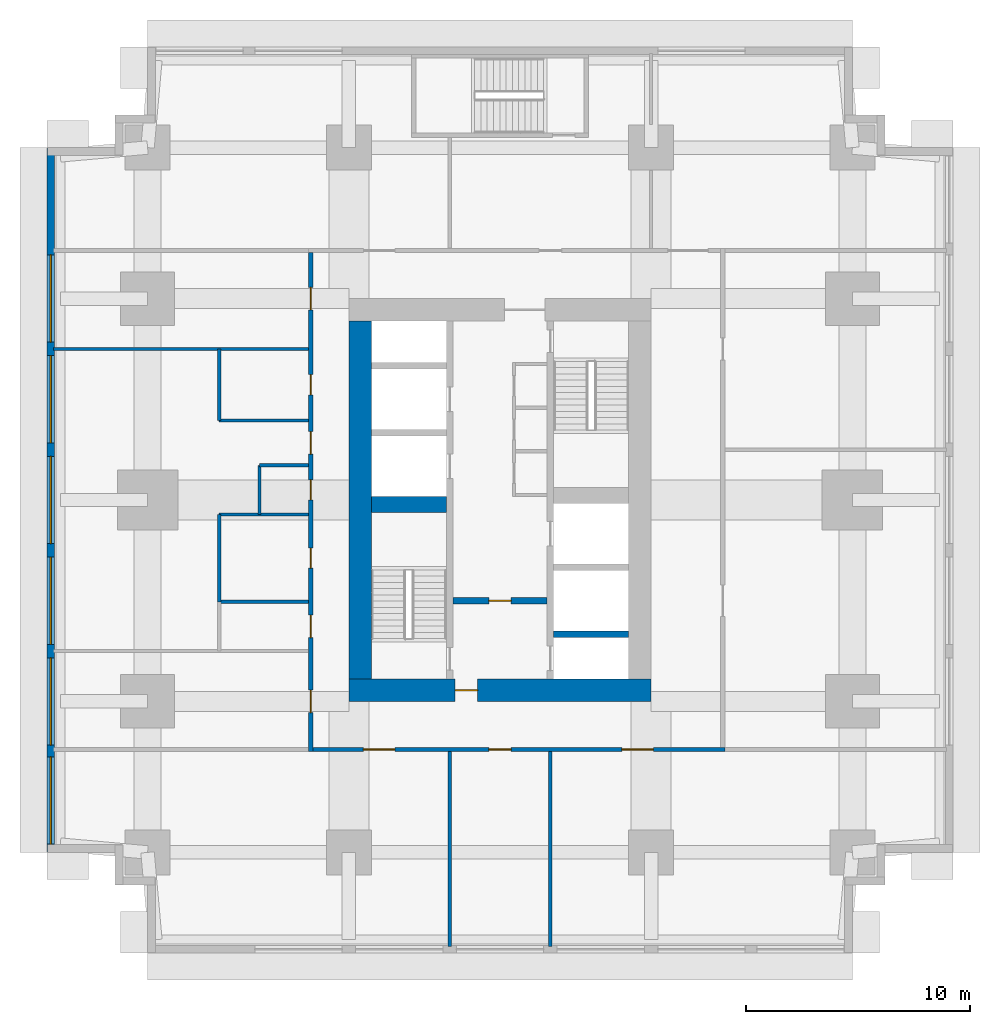
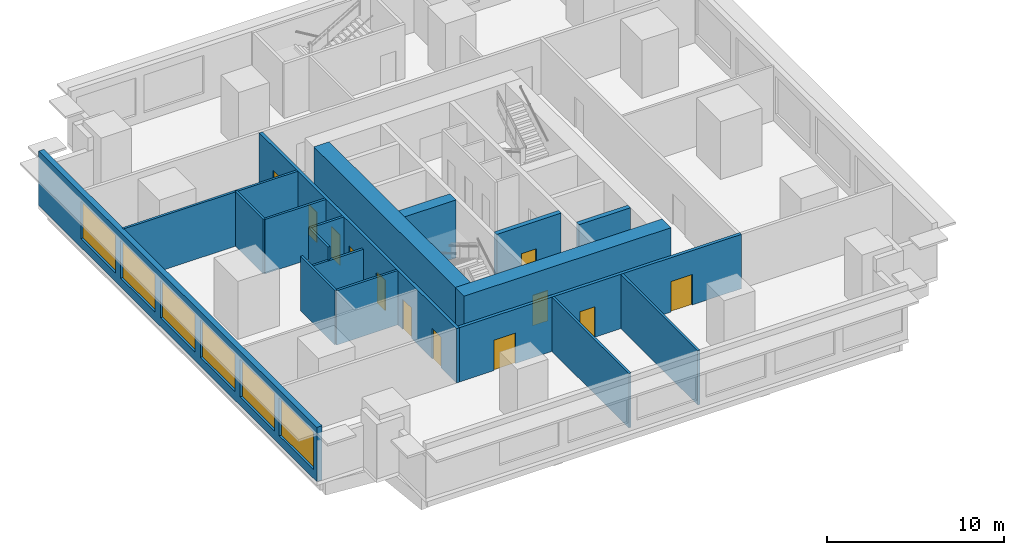
# One storey, part 3 of 11: 18 walls, 12 doors, 6 windows, 18 openings.
"""IFC4 building model written with IfcOpenShell, lengths in metres."""

from ifc_helpers import new_model, si_unit, direction, frame, frame_2d, origin, place, context, subcontext, project, spatial, rectangle, extrude, material, layer, layer_set, type_object, element, fill, save


model = new_model("IFC4")

# Units and contexts
model_context = context("Model", 3, precision=1e-05, world=origin(), true_north=direction((0.0, 1.0)))
body_context = subcontext(model_context, "Body", "Model", "MODEL_VIEW")
ifc_project = project(units=[si_unit("LENGTHUNIT", "METRE"), si_unit("AREAUNIT", "SQUARE_METRE"), si_unit("VOLUMEUNIT", "CUBIC_METRE"), si_unit("PLANEANGLEUNIT", "RADIAN"), si_unit("MASSUNIT", "GRAM", prefix="KILO")], contexts=[model_context])

# Site, building, storey
site_placement = place(None, origin())
site = spatial("IfcSite", under=ifc_project, at=site_placement, CompositionType="ELEMENT")
building_placement = place(site_placement, origin())
building = spatial("IfcBuilding", under=site, at=building_placement, Name="Namib Vertical Campus", CompositionType="ELEMENT")
storey_placement = place(building_placement, frame((0.0, 0.0, 61.0)))
storey = spatial("IfcBuildingStorey", under=building, at=storey_placement, Name="L14", CompositionType="ELEMENT", Elevation=61.0)

# Wall, opening, door
ifc_material_1 = material(Name="Concrete C60/75", Category="concrete")
ifc_layer_1 = layer(ifc_material_1, 0.300048828125)
ifc_layer_set_1 = layer_set([ifc_layer_1], Name="Concrete C60/75")
wall_type_1 = type_object("IfcWallType", Name="Core inner wall 300", PredefinedType="SHEAR", material=ifc_layer_set_1)
wall_1_placement = place(storey_placement, frame((18.14990234375, 15.75, 0.0), z_axis=(0.0, 0.0, 1.0), x_axis=(1.0, 0.0, 0.0)))
wall_1 = element("IfcWall", 1, at=wall_1_placement, inside=storey, type_object=wall_type_1, Name="Core inner wall A L14 W4", PredefinedType="SHEAR", context=body_context, shape_type="SweptSolid", body=[
    extrude(rectangle(XDim=4.2001953125, YDim=0.300048828125, at=frame_2d((2.10009765625, 0.0))), origin(), (0.0, 0.0, 1.0), 4.0),
])
opening_1_placement = place(wall_1_placement, frame((1.60009765625, 0.0, 0.0)))
opening_1 = element("IfcOpeningElement", 2, at=opening_1_placement, cuts=wall_1, Name="Opening FD5", PredefinedType="OPENING", context=body_context, shape_type="SweptSolid", body=[
    extrude(rectangle(XDim=1.0, YDim=2.10009765625, at=frame_2d((0.5, 1.050048828125))), frame((0.0, 0.159912109375, 0.0), z_axis=(0.0, -1.0, 0.0), x_axis=(1.0, 0.0, 0.0)), (0.0, 0.0, 1.0), 0.320068359375),
])
ifc_material_2 = material(Name="Steel fire door", Category="steel")
door_type_1 = type_object("IfcDoorType", Name="Fire door 1000x2100 120 min", OperationType="SINGLE_SWING_RIGHT", PredefinedType="DOOR", material=ifc_material_2)
door_1_placement = place(opening_1_placement, frame((1.0, 0.0, 0.0), z_axis=(0.0, 0.0, 1.0), x_axis=(-1.0, 0.0, 0.0)))
door_1 = element("IfcDoor", 3, at=door_1_placement, inside=storey, type_object=door_type_1, Name="Lobby door FD5 A L14", OperationType="SINGLE_SWING_RIGHT", OverallHeight=2.10009765625, OverallWidth=1.0, PredefinedType="DOOR", context=body_context, shape_type="SweptSolid", body=[
    extrude(rectangle(XDim=1.0, YDim=2.10009765625, at=frame_2d((0.5, 1.050048828125))), frame((0.0, 0.02490234375, 0.0), z_axis=(0.0, -1.0, 0.0), x_axis=(1.0, 0.0, 0.0)), (0.0, 0.0, 1.0), 0.050048828125),
])
fill(opening_1, door_1)

# Walls
wall_2_placement = place(storey_placement, frame((22.64990234375, 14.25, 0.0), z_axis=(0.0, 0.0, 1.0), x_axis=(1.0, 0.0, 0.0)))
element("IfcWall", 4, at=wall_2_placement, inside=storey, type_object=wall_type_1, Name="Core inner wall A L14 W5", PredefinedType="SHEAR", context=body_context, shape_type="SweptSolid", body=[
    extrude(rectangle(XDim=3.35009765625, YDim=0.300048828125, at=frame_2d((1.675048828125, 0.0))), origin(), (0.0, 0.0, 1.0), 4.0),
])
ifc_material_3 = material(Name="Concrete C60/75", Category="concrete")
ifc_layer_2 = layer(ifc_material_3, 0.699951171875)
ifc_layer_set_2 = layer_set([ifc_layer_2], Name="Concrete C60/75")
wall_type_2 = type_object("IfcWallType", Name="Core shear wall 700", PredefinedType="SHEAR", material=ifc_layer_set_2)
wall_3_placement = place(storey_placement, frame((14.5, 20.050048828125, 0.0), z_axis=(0.0, 0.0, 1.0), x_axis=(1.0, 0.0, 0.0)))
element("IfcWall", 5, at=wall_3_placement, inside=storey, type_object=wall_type_2, Name="Core shear wall A L14 W3", PredefinedType="SHEAR", context=body_context, shape_type="SweptSolid", body=[
    extrude(rectangle(XDim=3.35009765625, YDim=0.699951171875, at=frame_2d((1.675048828125, 0.0))), origin(), (0.0, 0.0, 1.0), 4.0),
])

# Wall, opening, door
ifc_material_4 = material(Name="Concrete C60/75", Category="concrete")
ifc_layer_3 = layer(ifc_material_4, 1.0)
ifc_layer_set_3 = layer_set([ifc_layer_3], Name="Concrete C60/75")
wall_type_3 = type_object("IfcWallType", Name="Core wall 1000", PredefinedType="SHEAR", material=ifc_layer_set_3)
wall_4_placement = place(storey_placement, frame((13.5, 11.75, 0.0), z_axis=(0.0, 0.0, 1.0), x_axis=(1.0, 0.0, 0.0)))
wall_4 = element("IfcWall", 6, at=wall_4_placement, inside=storey, type_object=wall_type_3, Name="Core wall A L14 1", PredefinedType="SHEAR", context=body_context, shape_type="SweptSolid", body=[
    extrude(rectangle(XDim=13.5, YDim=1.0, at=frame_2d((6.75, 0.0))), origin(), (0.0, 0.0, 1.0), 4.0),
])
opening_2_placement = place(wall_4_placement, frame((4.75, 0.0, 0.0)))
opening_2 = element("IfcOpeningElement", 7, at=opening_2_placement, cuts=wall_4, Name="Opening FD5", PredefinedType="OPENING", context=body_context, shape_type="SweptSolid", body=[
    extrude(rectangle(XDim=1.0, YDim=2.10009765625, at=frame_2d((0.5, 1.050048828125))), frame((0.0, 0.510009765625, 0.0), z_axis=(0.0, -1.0, 0.0), x_axis=(1.0, 0.0, 0.0)), (0.0, 0.0, 1.0), 1.02001953125),
])
door_2_placement = place(opening_2_placement, origin())
door_2 = element("IfcDoor", 8, at=door_2_placement, inside=storey, type_object=door_type_1, Name="Firefighting lobby door FD5 A L14", OperationType="SINGLE_SWING_LEFT", OverallHeight=2.10009765625, OverallWidth=1.0, PredefinedType="DOOR", context=body_context, shape_type="SweptSolid", body=[
    extrude(rectangle(XDim=1.0, YDim=2.10009765625, at=frame_2d((0.5, 1.050048828125))), frame((0.0, 0.02490234375, 0.0), z_axis=(0.0, -1.0, 0.0), x_axis=(1.0, 0.0, 0.0)), (0.0, 0.0, 1.0), 0.050048828125),
])
fill(opening_2, door_2)

# Wall
wall_5_placement = place(storey_placement, frame((14.0, 28.25, 0.0), z_axis=(0.0, 0.0, 1.0), x_axis=(0.0, -1.0, 0.0)))
element("IfcWall", 9, at=wall_5_placement, inside=storey, type_object=wall_type_3, Name="Core wall A L14 4", PredefinedType="SHEAR", context=body_context, shape_type="SweptSolid", body=[
    extrude(rectangle(XDim=16.0, YDim=1.0, at=frame_2d((8.0, 0.0))), origin(), (0.0, 0.0, 1.0), 4.0),
])

# Wall, openings, doors
ifc_material_5 = material(Name="Concrete masonry", Category="masonry")
ifc_layer_4 = layer(ifc_material_5, 0.199951171875)
ifc_layer_set_4 = layer_set([ifc_layer_4], Name="Corridor wall 200")
wall_type_4 = type_object("IfcWallType", Name="Corridor wall 200", PredefinedType="SOLIDWALL", material=ifc_layer_set_4)
wall_6_placement = place(storey_placement, frame((11.89990234375, 9.10009765625, 0.0), z_axis=(0.0, 0.0, 1.0), x_axis=(1.0, 0.0, 0.0)))
wall_6 = element("IfcWall", 10, at=wall_6_placement, inside=storey, type_object=wall_type_4, Name="Corridor wall A L14 CS", PredefinedType="SOLIDWALL", context=body_context, shape_type="SweptSolid", body=[
    extrude(rectangle(XDim=18.400146484375, YDim=0.199951171875, at=frame_2d((9.2001953125, 0.0))), origin(), (0.0, 0.0, 1.0), 3.75),
])
opening_3_placement = place(wall_6_placement, frame((2.25, 0.0, 0.0)))
opening_3 = element("IfcOpeningElement", 11, at=opening_3_placement, cuts=wall_6, Name="Opening LB1", PredefinedType="OPENING", context=body_context, shape_type="SweptSolid", body=[
    extrude(rectangle(XDim=1.39990234375, YDim=2.10009765625, at=frame_2d((0.699951171875, 1.050048828125))), frame((0.0, 0.10986328125, 0.0), z_axis=(0.0, -1.0, 0.0), x_axis=(1.0, 0.0, 0.0)), (0.0, 0.0, 1.0), 0.219970703125),
])
opening_4_placement = place(wall_6_placement, frame((7.85009765625, 0.0, 0.0)))
opening_4 = element("IfcOpeningElement", 12, at=opening_4_placement, cuts=wall_6, Name="Opening CD1", PredefinedType="OPENING", context=body_context, shape_type="SweptSolid", body=[
    extrude(rectangle(XDim=1.0, YDim=2.10009765625, at=frame_2d((0.5, 1.050048828125))), frame((0.0, 0.10986328125, 0.0), z_axis=(0.0, -1.0, 0.0), x_axis=(1.0, 0.0, 0.0)), (0.0, 0.0, 1.0), 0.219970703125),
])
opening_5_placement = place(wall_6_placement, frame((13.800048828125, 0.0, 0.0)))
opening_5 = element("IfcOpeningElement", 13, at=opening_5_placement, cuts=wall_6, Name="Opening LB1", PredefinedType="OPENING", context=body_context, shape_type="SweptSolid", body=[
    extrude(rectangle(XDim=1.39990234375, YDim=2.10009765625, at=frame_2d((0.699951171875, 1.050048828125))), frame((0.0, 0.10986328125, 0.0), z_axis=(0.0, -1.0, 0.0), x_axis=(1.0, 0.0, 0.0)), (0.0, 0.0, 1.0), 0.219970703125),
])
ifc_material_6 = material(Name="Timber fire door leaf", Category="wood")
door_type_2 = type_object("IfcDoorType", Name="Corridor door 1000x2100 20 min", OperationType="SINGLE_SWING_LEFT", PredefinedType="DOOR", material=ifc_material_6)
door_3_placement = place(opening_4_placement, frame((1.0, 0.0, 0.0), z_axis=(0.0, 0.0, 1.0), x_axis=(-1.0, 0.0, 0.0)))
door_3 = element("IfcDoor", 14, at=door_3_placement, inside=storey, type_object=door_type_2, Name="Door CD1 A14-02", OperationType="SINGLE_SWING_RIGHT", OverallHeight=2.10009765625, OverallWidth=1.0, PredefinedType="DOOR", context=body_context, shape_type="SweptSolid", body=[
    extrude(rectangle(XDim=1.0, YDim=2.10009765625, at=frame_2d((0.5, 1.050048828125))), frame((0.0, 0.02490234375, 0.0), z_axis=(0.0, -1.0, 0.0), x_axis=(1.0, 0.0, 0.0)), (0.0, 0.0, 1.0), 0.050048828125),
])
fill(opening_4, door_3)
ifc_material_7 = material(Name="Timber fire door leaf", Category="wood")
door_type_3 = type_object("IfcDoorType", Name="Laboratory door 1400x2100 leaf and a half", OperationType="DOUBLE_DOOR_SINGLE_SWING", PredefinedType="DOOR", material=ifc_material_7)
door_4_placement = place(opening_3_placement, frame((1.39990234375, 0.0, 0.0), z_axis=(0.0, 0.0, 1.0), x_axis=(-1.0, 0.0, 0.0)))
door_4 = element("IfcDoor", 15, at=door_4_placement, inside=storey, type_object=door_type_3, Name="Door LB1 A14-01", OperationType="DOUBLE_DOOR_SINGLE_SWING", OverallHeight=2.10009765625, OverallWidth=1.39990234375, PredefinedType="DOOR", context=body_context, shape_type="SweptSolid", body=[
    extrude(rectangle(XDim=1.39990234375, YDim=2.10009765625, at=frame_2d((0.699951171875, 1.050048828125))), frame((0.0, 0.02490234375, 0.0), z_axis=(0.0, -1.0, 0.0), x_axis=(1.0, 0.0, 0.0)), (0.0, 0.0, 1.0), 0.050048828125),
])
fill(opening_3, door_4)
door_5_placement = place(opening_5_placement, frame((1.39990234375, 0.0, 0.0), z_axis=(0.0, 0.0, 1.0), x_axis=(-1.0, 0.0, 0.0)))
door_5 = element("IfcDoor", 16, at=door_5_placement, inside=storey, type_object=door_type_3, Name="Door LB1 A14-03", OperationType="DOUBLE_DOOR_SINGLE_SWING", OverallHeight=2.10009765625, OverallWidth=1.39990234375, PredefinedType="DOOR", context=body_context, shape_type="SweptSolid", body=[
    extrude(rectangle(XDim=1.39990234375, YDim=2.10009765625, at=frame_2d((0.699951171875, 1.050048828125))), frame((0.0, 0.02490234375, 0.0), z_axis=(0.0, -1.0, 0.0), x_axis=(1.0, 0.0, 0.0)), (0.0, 0.0, 1.0), 0.050048828125),
])
fill(opening_5, door_5)

wall_7_placement = place(storey_placement, frame((11.800048828125, 31.300048828125, 0.0), z_axis=(0.0, 0.0, 1.0), x_axis=(0.0, -1.0, 0.0)))
wall_7 = element("IfcWall", 17, at=wall_7_placement, inside=storey, type_object=wall_type_4, Name="Corridor wall A L14 CW", PredefinedType="SOLIDWALL", context=body_context, shape_type="SweptSolid", body=[
    extrude(rectangle(XDim=22.300048828125, YDim=0.199951171875, at=frame_2d((11.14990234375, 0.0))), origin(), (0.0, 0.0, 1.0), 3.75),
])
opening_6_placement = place(wall_7_placement, frame((19.550048828125, 0.0, 0.0)))
opening_6 = element("IfcOpeningElement", 18, at=opening_6_placement, cuts=wall_7, Name="Opening CD1", PredefinedType="OPENING", context=body_context, shape_type="SweptSolid", body=[
    extrude(rectangle(XDim=1.0, YDim=2.10009765625, at=frame_2d((0.5, 1.050048828125))), frame((0.0, 0.10986328125, 0.0), z_axis=(0.0, -1.0, 0.0), x_axis=(1.0, 0.0, 0.0)), (0.0, 0.0, 1.0), 0.219970703125),
])
opening_7_placement = place(wall_7_placement, frame((16.199951171875, 0.0, 0.0)))
opening_7 = element("IfcOpeningElement", 19, at=opening_7_placement, cuts=wall_7, Name="Opening CD1", PredefinedType="OPENING", context=body_context, shape_type="SweptSolid", body=[
    extrude(rectangle(XDim=1.0, YDim=2.10009765625, at=frame_2d((0.5, 1.050048828125))), frame((0.0, 0.10986328125, 0.0), z_axis=(0.0, -1.0, 0.0), x_axis=(1.0, 0.0, 0.0)), (0.0, 0.0, 1.0), 0.219970703125),
])
opening_8_placement = place(wall_7_placement, frame((13.199951171875, 0.0, 0.0)))
opening_8 = element("IfcOpeningElement", 20, at=opening_8_placement, cuts=wall_7, Name="Opening CD3", PredefinedType="OPENING", context=body_context, shape_type="SweptSolid", body=[
    extrude(rectangle(XDim=0.89990234375, YDim=2.10009765625, at=frame_2d((0.449951171875, 1.050048828125))), frame((0.0, 0.10986328125, 0.0), z_axis=(0.0, -1.0, 0.0), x_axis=(1.0, 0.0, 0.0)), (0.0, 0.0, 1.0), 0.219970703125),
])
opening_9_placement = place(wall_7_placement, frame((10.14990234375, 0.0, 0.0)))
opening_9 = element("IfcOpeningElement", 21, at=opening_9_placement, cuts=wall_7, Name="Opening CD3", PredefinedType="OPENING", context=body_context, shape_type="SweptSolid", body=[
    extrude(rectangle(XDim=0.89990234375, YDim=2.10009765625, at=frame_2d((0.449951171875, 1.050048828125))), frame((0.0, 0.10986328125, 0.0), z_axis=(0.0, -1.0, 0.0), x_axis=(1.0, 0.0, 0.0)), (0.0, 0.0, 1.0), 0.219970703125),
])
opening_10_placement = place(wall_7_placement, frame((5.449951171875, 0.0, 0.0)))
opening_10 = element("IfcOpeningElement", 22, at=opening_10_placement, cuts=wall_7, Name="Opening CD3", PredefinedType="OPENING", context=body_context, shape_type="SweptSolid", body=[
    extrude(rectangle(XDim=0.89990234375, YDim=2.10009765625, at=frame_2d((0.449951171875, 1.050048828125))), frame((0.0, 0.10986328125, 0.0), z_axis=(0.0, -1.0, 0.0), x_axis=(1.0, 0.0, 0.0)), (0.0, 0.0, 1.0), 0.219970703125),
])
opening_11_placement = place(wall_7_placement, frame((8.0, 0.0, 0.0)))
opening_11 = element("IfcOpeningElement", 23, at=opening_11_placement, cuts=wall_7, Name="Opening CD1", PredefinedType="OPENING", context=body_context, shape_type="SweptSolid", body=[
    extrude(rectangle(XDim=1.0, YDim=2.10009765625, at=frame_2d((0.5, 1.050048828125))), frame((0.0, 0.10986328125, 0.0), z_axis=(0.0, -1.0, 0.0), x_axis=(1.0, 0.0, 0.0)), (0.0, 0.0, 1.0), 0.219970703125),
])
opening_12_placement = place(wall_7_placement, frame((1.550048828125, 0.0, 0.0)))
opening_12 = element("IfcOpeningElement", 24, at=opening_12_placement, cuts=wall_7, Name="Opening CD1", PredefinedType="OPENING", context=body_context, shape_type="SweptSolid", body=[
    extrude(rectangle(XDim=1.0, YDim=2.10009765625, at=frame_2d((0.5, 1.050048828125))), frame((0.0, 0.10986328125, 0.0), z_axis=(0.0, -1.0, 0.0), x_axis=(1.0, 0.0, 0.0)), (0.0, 0.0, 1.0), 0.219970703125),
])
door_6_placement = place(opening_6_placement, frame((1.0, 0.0, 0.0), z_axis=(0.0, 0.0, 1.0), x_axis=(-1.0, 0.0, 0.0)))
door_6 = element("IfcDoor", 25, at=door_6_placement, inside=storey, type_object=door_type_2, Name="Door CD1 A14-09", OperationType="SINGLE_SWING_RIGHT", OverallHeight=2.10009765625, OverallWidth=1.0, PredefinedType="DOOR", context=body_context, shape_type="SweptSolid", body=[
    extrude(rectangle(XDim=1.0, YDim=2.10009765625, at=frame_2d((0.5, 1.050048828125))), frame((0.0, 0.02490234375, 0.0), z_axis=(0.0, -1.0, 0.0), x_axis=(1.0, 0.0, 0.0)), (0.0, 0.0, 1.0), 0.050048828125),
])
fill(opening_6, door_6)
door_7_placement = place(opening_7_placement, frame((1.0, 0.0, 0.0), z_axis=(0.0, 0.0, 1.0), x_axis=(-1.0, 0.0, 0.0)))
door_7 = element("IfcDoor", 26, at=door_7_placement, inside=storey, type_object=door_type_2, Name="Door CD1 A14-10", OperationType="SINGLE_SWING_RIGHT", OverallHeight=2.10009765625, OverallWidth=1.0, PredefinedType="DOOR", context=body_context, shape_type="SweptSolid", body=[
    extrude(rectangle(XDim=1.0, YDim=2.10009765625, at=frame_2d((0.5, 1.050048828125))), frame((0.0, 0.02490234375, 0.0), z_axis=(0.0, -1.0, 0.0), x_axis=(1.0, 0.0, 0.0)), (0.0, 0.0, 1.0), 0.050048828125),
])
fill(opening_7, door_7)
door_8_placement = place(opening_11_placement, frame((1.0, 0.0, 0.0), z_axis=(0.0, 0.0, 1.0), x_axis=(-1.0, 0.0, 0.0)))
door_8 = element("IfcDoor", 27, at=door_8_placement, inside=storey, type_object=door_type_2, Name="Door CD1 A14-14", OperationType="SINGLE_SWING_RIGHT", OverallHeight=2.10009765625, OverallWidth=1.0, PredefinedType="DOOR", context=body_context, shape_type="SweptSolid", body=[
    extrude(rectangle(XDim=1.0, YDim=2.10009765625, at=frame_2d((0.5, 1.050048828125))), frame((0.0, 0.02490234375, 0.0), z_axis=(0.0, -1.0, 0.0), x_axis=(1.0, 0.0, 0.0)), (0.0, 0.0, 1.0), 0.050048828125),
])
fill(opening_11, door_8)
door_9_placement = place(opening_12_placement, frame((1.0, 0.0, 0.0), z_axis=(0.0, 0.0, 1.0), x_axis=(-1.0, 0.0, 0.0)))
door_9 = element("IfcDoor", 28, at=door_9_placement, inside=storey, type_object=door_type_2, Name="Door CD1 A14-15", OperationType="SINGLE_SWING_RIGHT", OverallHeight=2.10009765625, OverallWidth=1.0, PredefinedType="DOOR", context=body_context, shape_type="SweptSolid", body=[
    extrude(rectangle(XDim=1.0, YDim=2.10009765625, at=frame_2d((0.5, 1.050048828125))), frame((0.0, 0.02490234375, 0.0), z_axis=(0.0, -1.0, 0.0), x_axis=(1.0, 0.0, 0.0)), (0.0, 0.0, 1.0), 0.050048828125),
])
fill(opening_12, door_9)
ifc_material_8 = material(Name="Timber fire door leaf", Category="wood")
door_type_4 = type_object("IfcDoorType", Name="Corridor toilet door 900x2100 20 min", OperationType="SINGLE_SWING_LEFT", PredefinedType="DOOR", material=ifc_material_8)
door_10_placement = place(opening_8_placement, frame((0.89990234375, 0.0, 0.0), z_axis=(0.0, 0.0, 1.0), x_axis=(-1.0, 0.0, 0.0)))
door_10 = element("IfcDoor", 29, at=door_10_placement, inside=storey, type_object=door_type_4, Name="Door CD3 A14-11", OperationType="SINGLE_SWING_RIGHT", OverallHeight=2.10009765625, OverallWidth=0.89990234375, PredefinedType="DOOR", context=body_context, shape_type="SweptSolid", body=[
    extrude(rectangle(XDim=0.89990234375, YDim=2.10009765625, at=frame_2d((0.449951171875, 1.050048828125))), frame((0.0, 0.02490234375, 0.0), z_axis=(0.0, -1.0, 0.0), x_axis=(1.0, 0.0, 0.0)), (0.0, 0.0, 1.0), 0.050048828125),
])
fill(opening_8, door_10)
door_11_placement = place(opening_9_placement, frame((0.89990234375, 0.0, 0.0), z_axis=(0.0, 0.0, 1.0), x_axis=(-1.0, 0.0, 0.0)))
door_11 = element("IfcDoor", 30, at=door_11_placement, inside=storey, type_object=door_type_4, Name="Door CD3 A14-12", OperationType="SINGLE_SWING_RIGHT", OverallHeight=2.10009765625, OverallWidth=0.89990234375, PredefinedType="DOOR", context=body_context, shape_type="SweptSolid", body=[
    extrude(rectangle(XDim=0.89990234375, YDim=2.10009765625, at=frame_2d((0.449951171875, 1.050048828125))), frame((0.0, 0.02490234375, 0.0), z_axis=(0.0, -1.0, 0.0), x_axis=(1.0, 0.0, 0.0)), (0.0, 0.0, 1.0), 0.050048828125),
])
fill(opening_9, door_11)
door_12_placement = place(opening_10_placement, frame((0.89990234375, 0.0, 0.0), z_axis=(0.0, 0.0, 1.0), x_axis=(-1.0, 0.0, 0.0)))
door_12 = element("IfcDoor", 31, at=door_12_placement, inside=storey, type_object=door_type_4, Name="Door CD3 A14-13", OperationType="SINGLE_SWING_RIGHT", OverallHeight=2.10009765625, OverallWidth=0.89990234375, PredefinedType="DOOR", context=body_context, shape_type="SweptSolid", body=[
    extrude(rectangle(XDim=0.89990234375, YDim=2.10009765625, at=frame_2d((0.449951171875, 1.050048828125))), frame((0.0, 0.02490234375, 0.0), z_axis=(0.0, -1.0, 0.0), x_axis=(1.0, 0.0, 0.0)), (0.0, 0.0, 1.0), 0.050048828125),
])
fill(opening_10, door_12)

# Wall, openings, windows
ifc_material_9 = material(Name="Concrete C40/50", Category="concrete")
ifc_layer_5 = layer(ifc_material_9, 0.35009765625)
ifc_layer_set_5 = layer_set([ifc_layer_5], Name="Concrete C40/50")
wall_type_5 = type_object("IfcWallType", Name="External wall 350 bush-hammered concrete", PredefinedType="STANDARD", material=ifc_layer_set_5)
wall_8_placement = place(storey_placement, frame((0.175048828125, 35.97998046875, 0.0), z_axis=(0.0, 0.0, 1.0), x_axis=(0.0, -1.0, 0.0)))
wall_8 = element("IfcWall", 32, at=wall_8_placement, inside=storey, type_object=wall_type_5, Name="External wall L14 F16", PredefinedType="STANDARD", context=body_context, shape_type="SweptSolid", body=[
    extrude(rectangle(XDim=31.4599609375, YDim=0.35009765625, at=frame_2d((15.72998046875, 0.0))), origin(), (0.0, 0.0, 1.0), 3.75),
])
opening_13_placement = place(wall_8_placement, frame((27.2099609375, 0.0, 0.60009765625)))
opening_13 = element("IfcOpeningElement", 33, at=opening_13_placement, cuts=wall_8, Name="Opening W2", PredefinedType="OPENING", context=body_context, shape_type="SweptSolid", body=[
    extrude(rectangle(XDim=3.89990234375, YDim=2.60009765625, at=frame_2d((1.949951171875, 1.300048828125))), frame((0.0, 0.18505859375, 0.0), z_axis=(0.0, -1.0, 0.0), x_axis=(1.0, 0.0, 0.0)), (0.0, 0.0, 1.0), 0.3701171875),
])
opening_14_placement = place(wall_8_placement, frame((22.780029296875, 0.0, 0.60009765625)))
opening_14 = element("IfcOpeningElement", 34, at=opening_14_placement, cuts=wall_8, Name="Opening W2", PredefinedType="OPENING", context=body_context, shape_type="SweptSolid", body=[
    extrude(rectangle(XDim=3.89990234375, YDim=2.60009765625, at=frame_2d((1.949951171875, 1.300048828125))), frame((0.0, 0.18505859375, 0.0), z_axis=(0.0, -1.0, 0.0), x_axis=(1.0, 0.0, 0.0)), (0.0, 0.0, 1.0), 0.3701171875),
])
opening_15_placement = place(wall_8_placement, frame((18.280029296875, 0.0, 0.60009765625)))
opening_15 = element("IfcOpeningElement", 35, at=opening_15_placement, cuts=wall_8, Name="Opening W2", PredefinedType="OPENING", context=body_context, shape_type="SweptSolid", body=[
    extrude(rectangle(XDim=3.89990234375, YDim=2.60009765625, at=frame_2d((1.949951171875, 1.300048828125))), frame((0.0, 0.18505859375, 0.0), z_axis=(0.0, -1.0, 0.0), x_axis=(1.0, 0.0, 0.0)), (0.0, 0.0, 1.0), 0.3701171875),
])
opening_16_placement = place(wall_8_placement, frame((13.780029296875, 0.0, 0.60009765625)))
opening_16 = element("IfcOpeningElement", 36, at=opening_16_placement, cuts=wall_8, Name="Opening W2", PredefinedType="OPENING", context=body_context, shape_type="SweptSolid", body=[
    extrude(rectangle(XDim=3.89990234375, YDim=2.60009765625, at=frame_2d((1.949951171875, 1.300048828125))), frame((0.0, 0.18505859375, 0.0), z_axis=(0.0, -1.0, 0.0), x_axis=(1.0, 0.0, 0.0)), (0.0, 0.0, 1.0), 0.3701171875),
])
opening_17_placement = place(wall_8_placement, frame((9.280029296875, 0.0, 0.60009765625)))
opening_17 = element("IfcOpeningElement", 37, at=opening_17_placement, cuts=wall_8, Name="Opening W2", PredefinedType="OPENING", context=body_context, shape_type="SweptSolid", body=[
    extrude(rectangle(XDim=3.89990234375, YDim=2.60009765625, at=frame_2d((1.949951171875, 1.300048828125))), frame((0.0, 0.18505859375, 0.0), z_axis=(0.0, -1.0, 0.0), x_axis=(1.0, 0.0, 0.0)), (0.0, 0.0, 1.0), 0.3701171875),
])
opening_18_placement = place(wall_8_placement, frame((4.780029296875, 0.0, 0.60009765625)))
opening_18 = element("IfcOpeningElement", 38, at=opening_18_placement, cuts=wall_8, Name="Opening W2", PredefinedType="OPENING", context=body_context, shape_type="SweptSolid", body=[
    extrude(rectangle(XDim=3.89990234375, YDim=2.60009765625, at=frame_2d((1.949951171875, 1.300048828125))), frame((0.0, 0.18505859375, 0.0), z_axis=(0.0, -1.0, 0.0), x_axis=(1.0, 0.0, 0.0)), (0.0, 0.0, 1.0), 0.3701171875),
])
ifc_material_10 = material(Name="Dark tinted glass in black aluminium frame", Category="aluminium")
window_type = type_object("IfcWindowType", Name="Ribbon window 3900x2600", PartitioningType="SINGLE_PANEL", PredefinedType="WINDOW", material=ifc_material_10)
window_1_placement = place(opening_13_placement, origin())
window_1 = element("IfcWindow", 39, at=window_1_placement, inside=storey, type_object=window_type, Name="Window W2 L14 F16-1", OverallHeight=2.60009765625, OverallWidth=3.89990234375, PartitioningType="SINGLE_PANEL", PredefinedType="WINDOW", context=body_context, shape_type="SweptSolid", body=[
    extrude(rectangle(XDim=3.89990234375, YDim=2.60009765625, at=frame_2d((1.949951171875, 1.300048828125))), frame((0.0, 0.030029296875, 0.0), z_axis=(0.0, -1.0, 0.0), x_axis=(1.0, 0.0, 0.0)), (0.0, 0.0, 1.0), 0.06005859375),
])
fill(opening_13, window_1)
window_2_placement = place(opening_14_placement, origin())
window_2 = element("IfcWindow", 40, at=window_2_placement, inside=storey, type_object=window_type, Name="Window W2 L14 F16-2", OverallHeight=2.60009765625, OverallWidth=3.89990234375, PartitioningType="SINGLE_PANEL", PredefinedType="WINDOW", context=body_context, shape_type="SweptSolid", body=[
    extrude(rectangle(XDim=3.89990234375, YDim=2.60009765625, at=frame_2d((1.949951171875, 1.300048828125))), frame((0.0, 0.030029296875, 0.0), z_axis=(0.0, -1.0, 0.0), x_axis=(1.0, 0.0, 0.0)), (0.0, 0.0, 1.0), 0.06005859375),
])
fill(opening_14, window_2)
window_3_placement = place(opening_15_placement, origin())
window_3 = element("IfcWindow", 41, at=window_3_placement, inside=storey, type_object=window_type, Name="Window W2 L14 F16-3", OverallHeight=2.60009765625, OverallWidth=3.89990234375, PartitioningType="SINGLE_PANEL", PredefinedType="WINDOW", context=body_context, shape_type="SweptSolid", body=[
    extrude(rectangle(XDim=3.89990234375, YDim=2.60009765625, at=frame_2d((1.949951171875, 1.300048828125))), frame((0.0, 0.030029296875, 0.0), z_axis=(0.0, -1.0, 0.0), x_axis=(1.0, 0.0, 0.0)), (0.0, 0.0, 1.0), 0.06005859375),
])
fill(opening_15, window_3)
window_4_placement = place(opening_16_placement, origin())
window_4 = element("IfcWindow", 42, at=window_4_placement, inside=storey, type_object=window_type, Name="Window W2 L14 F16-4", OverallHeight=2.60009765625, OverallWidth=3.89990234375, PartitioningType="SINGLE_PANEL", PredefinedType="WINDOW", context=body_context, shape_type="SweptSolid", body=[
    extrude(rectangle(XDim=3.89990234375, YDim=2.60009765625, at=frame_2d((1.949951171875, 1.300048828125))), frame((0.0, 0.030029296875, 0.0), z_axis=(0.0, -1.0, 0.0), x_axis=(1.0, 0.0, 0.0)), (0.0, 0.0, 1.0), 0.06005859375),
])
fill(opening_16, window_4)
window_5_placement = place(opening_17_placement, origin())
window_5 = element("IfcWindow", 43, at=window_5_placement, inside=storey, type_object=window_type, Name="Window W2 L14 F16-5", OverallHeight=2.60009765625, OverallWidth=3.89990234375, PartitioningType="SINGLE_PANEL", PredefinedType="WINDOW", context=body_context, shape_type="SweptSolid", body=[
    extrude(rectangle(XDim=3.89990234375, YDim=2.60009765625, at=frame_2d((1.949951171875, 1.300048828125))), frame((0.0, 0.030029296875, 0.0), z_axis=(0.0, -1.0, 0.0), x_axis=(1.0, 0.0, 0.0)), (0.0, 0.0, 1.0), 0.06005859375),
])
fill(opening_17, window_5)
window_6_placement = place(opening_18_placement, origin())
window_6 = element("IfcWindow", 44, at=window_6_placement, inside=storey, type_object=window_type, Name="Window W2 L14 F16-6", OverallHeight=2.60009765625, OverallWidth=3.89990234375, PartitioningType="SINGLE_PANEL", PredefinedType="WINDOW", context=body_context, shape_type="SweptSolid", body=[
    extrude(rectangle(XDim=3.89990234375, YDim=2.60009765625, at=frame_2d((1.949951171875, 1.300048828125))), frame((0.0, 0.030029296875, 0.0), z_axis=(0.0, -1.0, 0.0), x_axis=(1.0, 0.0, 0.0)), (0.0, 0.0, 1.0), 0.06005859375),
])
fill(opening_18, window_6)

# Walls
ifc_material_11 = material(Name="Gypsum board on steel studs", Category="steel")
ifc_layer_6 = layer(ifc_material_11, 0.14990234375)
ifc_layer_set_6 = layer_set([ifc_layer_6], Name="Gypsum board on steel studs")
wall_type_6 = type_object("IfcWallType", Name="Partition 150", PredefinedType="PARTITIONING", material=ifc_layer_set_6)
for number, where, z_axis, x_axis, name in (
    (45, (18.0, 0.300048828125, 0.0), (0.0, 0.0, 1.0), (0.0, 1.0, 0.0), "Partition A L14 PS1"),
    (46, (22.5, 0.300048828125, 0.0), (0.0, 0.0, 1.0), (0.0, 1.0, 0.0), "Partition A L14 PS2"),
):
    element("IfcWall", number, at=place(storey_placement, frame(where, z_axis=z_axis, x_axis=x_axis)), inside=storey, type_object=wall_type_6, Name=name, PredefinedType="PARTITIONING", context=body_context, shape_type="SweptSolid", body=[
        extrude(rectangle(XDim=8.699951171875, YDim=0.14990234375, at=frame_2d((4.35009765625, 0.0))), origin(), (0.0, 0.0, 1.0), 3.75),
    ])
wall_9_placement = place(storey_placement, frame((0.300048828125, 27.0, 0.0), z_axis=(0.0, 0.0, 1.0), x_axis=(1.0, 0.0, 0.0)))
element("IfcWall", 47, at=wall_9_placement, inside=storey, type_object=wall_type_6, Name="Partition A L14 PW2", PredefinedType="PARTITIONING", context=body_context, shape_type="SweptSolid", body=[
    extrude(rectangle(XDim=11.39990234375, YDim=0.14990234375, at=frame_2d((5.699951171875, 0.0))), origin(), (0.0, 0.0, 1.0), 3.75),
])
wall_10_placement = place(storey_placement, frame((11.699951171875, 15.699951171875, 0.0), z_axis=(0.0, 0.0, 1.0), x_axis=(-1.0, 0.0, 0.0)))
element("IfcWall", 48, at=wall_10_placement, inside=storey, type_object=wall_type_6, Name="Partition A L14 WR1", PredefinedType="PARTITIONING", context=body_context, shape_type="SweptSolid", body=[
    extrude(rectangle(XDim=4.0, YDim=0.14990234375, at=frame_2d((2.0, 0.0))), origin(), (0.0, 0.0, 1.0), 3.75),
])
wall_11_placement = place(storey_placement, frame((11.699951171875, 19.60009765625, 0.0), z_axis=(0.0, 0.0, 1.0), x_axis=(-1.0, 0.0, 0.0)))
element("IfcWall", 49, at=wall_11_placement, inside=storey, type_object=wall_type_6, Name="Partition A L14 WR2", PredefinedType="PARTITIONING", context=body_context, shape_type="SweptSolid", body=[
    extrude(rectangle(XDim=4.0, YDim=0.14990234375, at=frame_2d((2.0, 0.0))), origin(), (0.0, 0.0, 1.0), 2.85009765625),
])
wall_12_placement = place(storey_placement, frame((11.699951171875, 21.800048828125, 0.0), z_axis=(0.0, 0.0, 1.0), x_axis=(-1.0, 0.0, 0.0)))
element("IfcWall", 50, at=wall_12_placement, inside=storey, type_object=wall_type_6, Name="Partition A L14 WR3", PredefinedType="PARTITIONING", context=body_context, shape_type="SweptSolid", body=[
    extrude(rectangle(XDim=2.199951171875, YDim=0.14990234375, at=frame_2d((1.10009765625, 0.0))), origin(), (0.0, 0.0, 1.0), 3.75),
])
wall_13_placement = place(storey_placement, frame((11.699951171875, 23.800048828125, 0.0), z_axis=(0.0, 0.0, 1.0), x_axis=(-1.0, 0.0, 0.0)))
element("IfcWall", 51, at=wall_13_placement, inside=storey, type_object=wall_type_6, Name="Partition A L14 WR4", PredefinedType="PARTITIONING", context=body_context, shape_type="SweptSolid", body=[
    extrude(rectangle(XDim=4.0, YDim=0.14990234375, at=frame_2d((2.0, 0.0))), origin(), (0.0, 0.0, 1.0), 3.75),
])
wall_14_placement = place(storey_placement, frame((7.699951171875, 15.699951171875, 0.0), z_axis=(0.0, 0.0, 1.0), x_axis=(0.0, 1.0, 0.0)))
element("IfcWall", 52, at=wall_14_placement, inside=storey, type_object=wall_type_6, Name="Partition A L14 WB2", PredefinedType="PARTITIONING", context=body_context, shape_type="SweptSolid", body=[
    extrude(rectangle(XDim=3.900146484375, YDim=0.14990234375, at=frame_2d((1.9501953125, 0.0))), origin(), (0.0, 0.0, 1.0), 3.75),
])
wall_15_placement = place(storey_placement, frame((9.5, 19.60009765625, 0.0), z_axis=(0.0, 0.0, 1.0), x_axis=(0.0, 1.0, 0.0)))
element("IfcWall", 53, at=wall_15_placement, inside=storey, type_object=wall_type_6, Name="Partition A L14 WB3", PredefinedType="PARTITIONING", context=body_context, shape_type="SweptSolid", body=[
    extrude(rectangle(XDim=2.199951171875, YDim=0.14990234375, at=frame_2d((1.10009765625, 0.0))), origin(), (0.0, 0.0, 1.0), 3.75),
])
wall_16_placement = place(storey_placement, frame((7.699951171875, 23.800048828125, 0.0), z_axis=(0.0, 0.0, 1.0), x_axis=(0.0, 1.0, 0.0)))
element("IfcWall", 54, at=wall_16_placement, inside=storey, type_object=wall_type_6, Name="Partition A L14 WB4", PredefinedType="PARTITIONING", context=body_context, shape_type="SweptSolid", body=[
    extrude(rectangle(XDim=3.199951171875, YDim=0.14990234375, at=frame_2d((1.60009765625, 0.0))), origin(), (0.0, 0.0, 1.0), 3.75),
])

save(model, "model.ifc")
